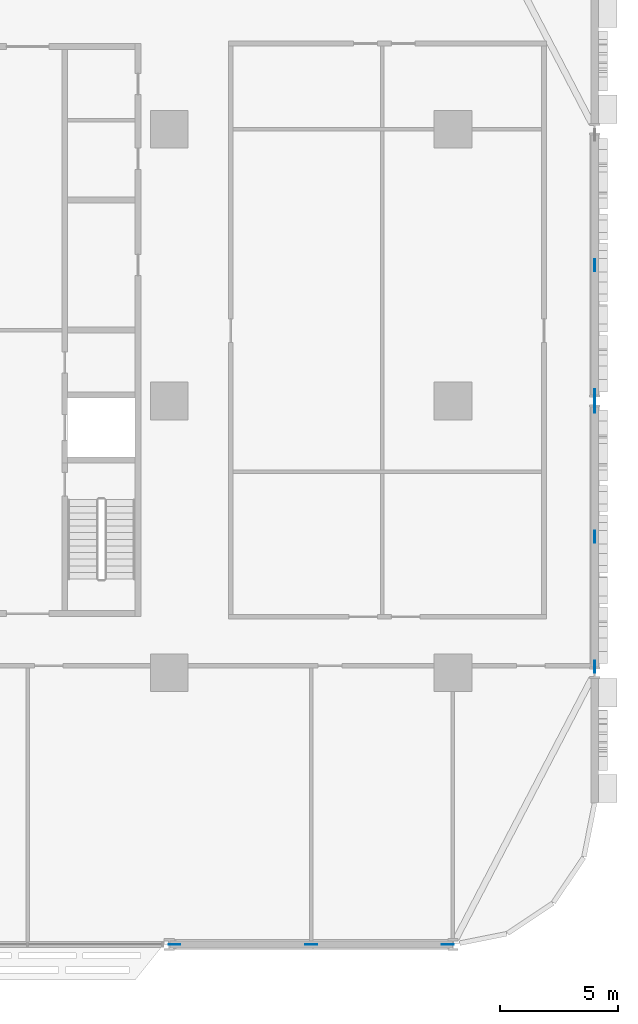
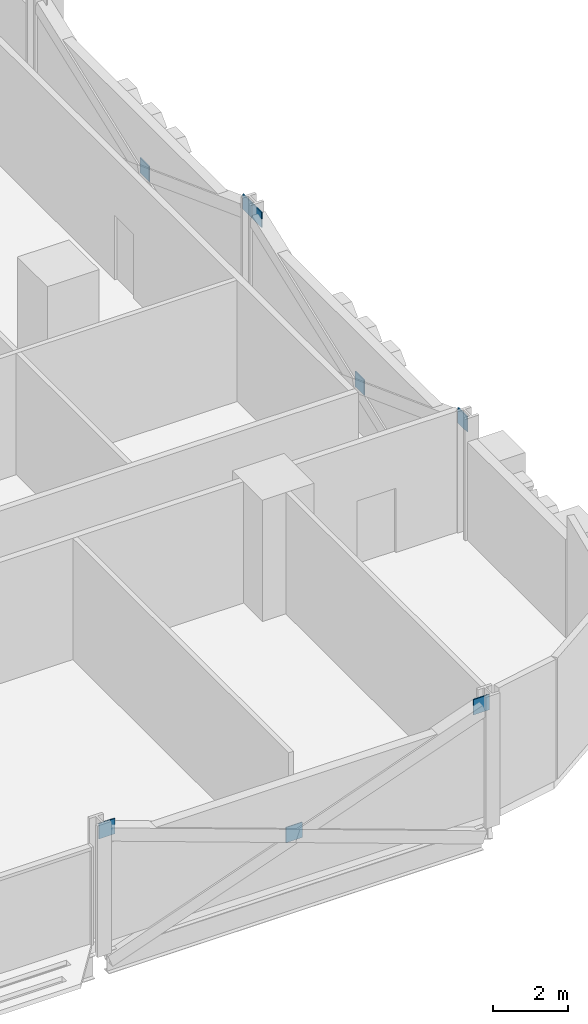
# One storey, part 20 of 28: 8 discrete accessories.
"""IFC4 building model written with IfcOpenShell, lengths in metres."""

from ifc_helpers import new_model, si_unit, direction, frame, origin, origin_2d, place, context, subcontext, project, spatial, rectangle, extrude, material, layer, layer_set, type_object, element, save


model = new_model("IFC4")

# Units and contexts
model_context = context("Model", 3, precision=1e-05, world=origin(), true_north=direction((0.0, 1.0)))
body_context = subcontext(model_context, "Body", "Model", "MODEL_VIEW")
ifc_project = project(units=[si_unit("LENGTHUNIT", "METRE"), si_unit("AREAUNIT", "SQUARE_METRE"), si_unit("VOLUMEUNIT", "CUBIC_METRE"), si_unit("PLANEANGLEUNIT", "RADIAN"), si_unit("MASSUNIT", "GRAM", prefix="KILO")], contexts=[model_context])

# Site, building, storey
site_placement = place(None, origin())
site = spatial("IfcSite", under=ifc_project, at=site_placement, CompositionType="ELEMENT")
building_placement = place(site_placement, origin())
building = spatial("IfcBuilding", under=site, at=building_placement, Name="Mahtab Terrace Research Tower", CompositionType="ELEMENT")
storey_placement = place(building_placement, frame((0.0, 0.0, 33.0)))
storey = spatial("IfcBuildingStorey", under=building, at=storey_placement, Name="L07", CompositionType="ELEMENT", Elevation=33.0)

# Discrete accessories
ifc_material = material(Name="Steel ASTM A992 Gr 50", Category="steel")
ifc_layer = layer(ifc_material, 0.030029296875)
ifc_layer_set = layer_set([ifc_layer], Name="Gusset plate 500x500x30")
discrete_accessory_type = type_object("IfcDiscreteAccessoryType", Name="Gusset plate 500x500x30", PredefinedType="USERDEFINED", material=ifc_layer_set)
for number, where, z_axis, x_axis, name in (
    (1, (30.2158203125, -23.0, 3.32958984375), (0.0, 0.0, 1.0), (1.0, 0.0, 0.0), "Gusset plate"),
    (2, (36.0, -23.0, 1.181396484375), (0.0, 0.0, 1.0), (1.0, 0.0, 0.0), "Gusset plate"),
    (3, (41.7841796875, -23.0, 3.32958984375), (0.0, 0.0, 1.0), (1.0, 0.0, 0.0), "Gusset plate"),
    (4, (48.0, -11.251220703125, 3.329345703125), (0.0, 0.0, 1.0), (0.0, 1.0, 0.0), "Gusset plate"),
    (5, (48.0, -5.75, 1.181396484375), (0.0, 0.0, 1.0), (0.0, 1.0, 0.0), "Gusset plate"),
    (6, (48.0, -0.248779296875, 3.329345703125), (0.0, 0.0, 1.0), (0.0, 1.0, 0.0), "Gusset plate"),
    (7, (48.0, 0.248779296875, 3.329345703125), (0.0, 0.0, 1.0), (0.0, 1.0, 0.0), "Gusset plate"),
    (8, (48.0, 5.75, 1.181396484375), (0.0, 0.0, 1.0), (0.0, 1.0, 0.0), "Gusset plate"),
):
    element("IfcDiscreteAccessory", number, at=place(storey_placement, frame(where, z_axis=z_axis, x_axis=x_axis)), inside=storey, type_object=discrete_accessory_type, Name=name, ObjectType="GUSSET PLATE", PredefinedType="USERDEFINED", context=body_context, shape_type="SweptSolid", body=[
        extrude(rectangle(XDim=0.5, YDim=0.030029296875, at=origin_2d()), origin(), (0.0, 0.0, 1.0), 0.5),
    ])

save(model, "model.ifc")
